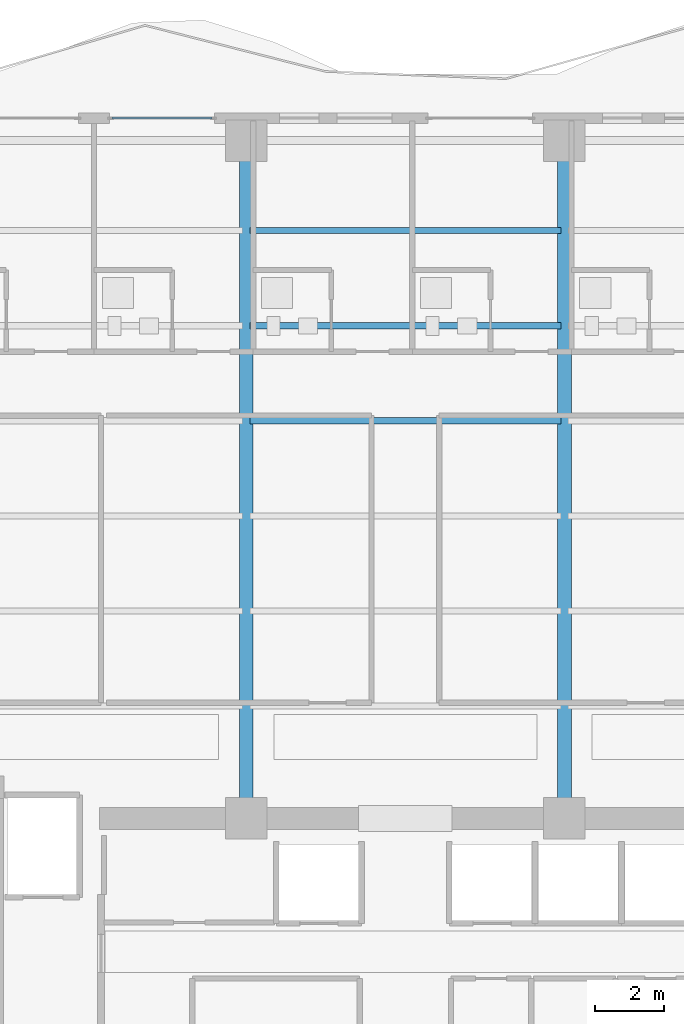
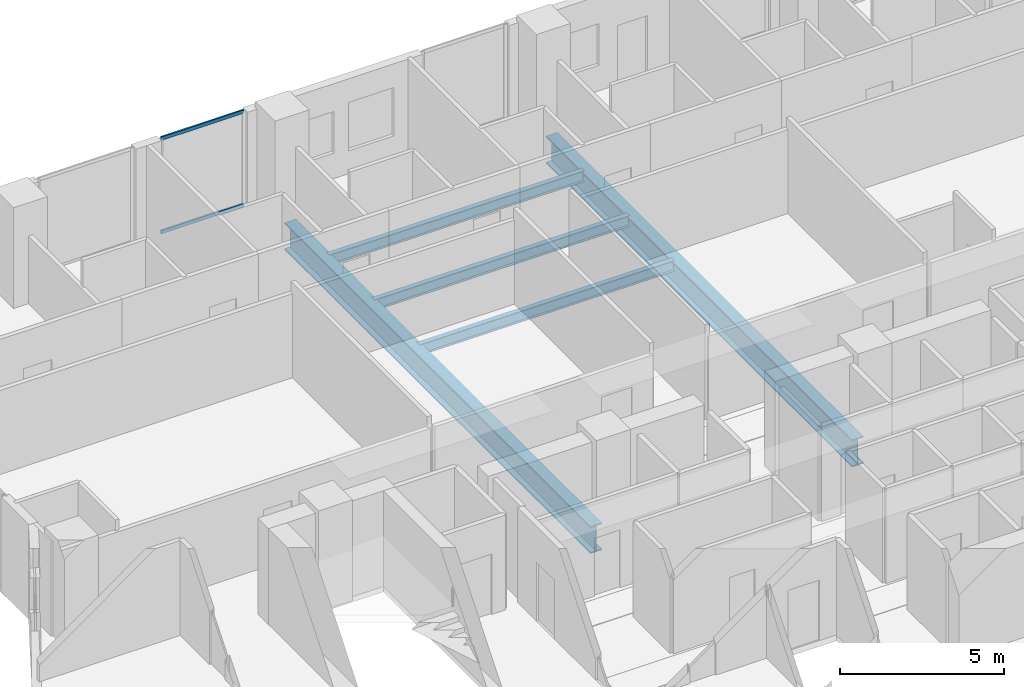
# One storey, part 18 of 33: 5 beams, 2 members, 1 element without a shape of its own.
"""IFC4 building model written with IfcOpenShell, lengths in metres."""

from ifc_helpers import new_model, si_unit, direction, frame, origin, origin_2d, place, context, subcontext, project, spatial, hollow_rectangle, i_section, extrude, material, layer, layer_set, material_profile, profile_set, type_object, element, aggregate, save


model = new_model("IFC4")

# Units and contexts
model_context = context("Model", 3, precision=1e-05, world=origin(), true_north=direction((0.0, 1.0)))
body_context = subcontext(model_context, "Body", "Model", "MODEL_VIEW")
ifc_project = project(units=[si_unit("LENGTHUNIT", "METRE"), si_unit("AREAUNIT", "SQUARE_METRE"), si_unit("VOLUMEUNIT", "CUBIC_METRE"), si_unit("PLANEANGLEUNIT", "RADIAN"), si_unit("MASSUNIT", "GRAM", prefix="KILO")], contexts=[model_context])

# Site, building, storey
site_placement = place(None, origin())
site = spatial("IfcSite", under=ifc_project, at=site_placement, CompositionType="ELEMENT")
building_placement = place(site_placement, origin())
building = spatial("IfcBuilding", under=site, at=building_placement, Name="Zuhayl Quay Hotel", CompositionType="ELEMENT")
storey_placement = place(building_placement, frame((0.0, 0.0, 222.39990234375)))
storey = spatial("IfcBuildingStorey", under=building, at=storey_placement, Name="L56", CompositionType="ELEMENT", Elevation=222.39990234375)

# Beams
ifc_material_1 = material(Name="Steel ASTM A992 Grade 50", Category="steel")
ifc_material_profile_1 = material_profile(ifc_material_1, i_section(OverallWidth=0.177978515625, OverallDepth=0.406005859375, WebThickness=0.0078125, FlangeThickness=0.0126953125, at=origin_2d()), Name="W16X40")
ifc_profile_set_1 = profile_set([ifc_material_profile_1], Name="Steel ASTM A992 Grade 50")
beam_type_1 = type_object("IfcBeamType", Name="BM_J2B_W16X40", PredefinedType="JOIST", material=ifc_profile_set_1)
for number, where, z_axis, x_axis, name in (
    (1, (-4.493896484375, 24.85009765625, -0.4228515625), (1.0, 0.0, 0.0), (0.0, 1.0, 0.0), "L56 Floor Beam FJ_L56_4_2"),
    (2, (-4.493896484375, 27.60009765625, -0.4228515625), (1.0, 0.0, 0.0), (0.0, 1.0, 0.0), "L56 Floor Beam FJ_L56_5_2"),
    (3, (-4.493896484375, 30.35009765625, -0.4228515625), (1.0, 0.0, 0.0), (0.0, 1.0, 0.0), "L56 Floor Beam FJ_L56_6_2"),
):
    element("IfcBeam", number, at=place(storey_placement, frame(where, z_axis=z_axis, x_axis=x_axis)), inside=storey, type_object=beam_type_1, Name=name, PredefinedType="JOIST", context=body_context, shape_type="SweptSolid", body=[
        extrude(i_section(OverallWidth=0.177978515625, OverallDepth=0.406005859375, WebThickness=0.0078125, FlangeThickness=0.0126953125, at=origin_2d()), origin(), (0.0, 0.0, 1.0), 8.98779296875),
    ])
ifc_material_profile_2 = material_profile(ifc_material_1, i_section(OverallWidth=0.40087890625, OverallDepth=1.010986328125, WebThickness=0.023681640625, FlangeThickness=0.0419921875, at=origin_2d()), Name="W40X297")
ifc_profile_set_2 = profile_set([ifc_material_profile_2], Name="Steel ASTM A992 Grade 50")
beam_type_2 = type_object("IfcBeamType", Name="BM_TG2_W40X297", PredefinedType="BEAM", material=ifc_profile_set_2)
for number, where, z_axis, x_axis, name in (
    (4, (-4.60009765625, 13.800048828125, -0.725341796875), (0.0, 1.0, 0.0), (-1.0, 0.0, 0.0), "L56 Floor Beam FG_N_L56_2"),
    (5, (4.60009765625, 13.800048828125, -0.725341796875), (0.0, 1.0, 0.0), (-1.0, 0.0, 0.0), "L56 Floor Beam FG_N_L56_3"),
):
    element("IfcBeam", number, at=place(storey_placement, frame(where, z_axis=z_axis, x_axis=x_axis)), inside=storey, type_object=beam_type_2, Name=name, PredefinedType="BEAM", context=body_context, shape_type="SweptSolid", body=[
        extrude(i_section(OverallWidth=0.40087890625, OverallDepth=1.010986328125, WebThickness=0.023681640625, FlangeThickness=0.0419921875, at=origin_2d()), origin(), (0.0, 0.0, 1.0), 18.64990234375),
    ])

# Curtain wall, members
ifc_material_2 = material(Name="Anodised Aluminium 6063-T6", Category="aluminium")
ifc_layer = layer(ifc_material_2, 0.175048828125, Name="Anodised Aluminium 6063-T6", Category="aluminium")
ifc_layer_set = layer_set([ifc_layer], Name="Anodised Aluminium 6063-T6")
curtain_wall_type = type_object("IfcCurtainWallType", Name="CW_SYS_Z3", PredefinedType="USERDEFINED", material=ifc_layer_set)
curtain_wall_placement = place(storey_placement, origin())
curtain_wall = element("IfcCurtainWall", 6, at=curtain_wall_placement, inside=storey, type_object=curtain_wall_type, Name="L56 Curtain Wall ENV_L56_N_CW3", ObjectType="UNITISED CURTAIN WALL", PredefinedType="USERDEFINED")
ifc_material_3 = material(Name="Black-anodised aluminium 6063-T6", Category="aluminium")
ifc_material_profile_3 = material_profile(ifc_material_3, hollow_rectangle(XDim=0.054931640625, YDim=0.1298828125, WallThickness=0.0029296875, at=origin_2d()), Name="ALU130X55")
ifc_profile_set_3 = profile_set([ifc_material_profile_3], Name="Black-anodised aluminium 6063-T6")
member_type = type_object("IfcMemberType", Name="MB_CW_TRN_130", PredefinedType="USERDEFINED", material=ifc_profile_set_3)
member_1_placement = place(storey_placement, frame((-8.485107421875, 33.60009765625, 0.027587890625), z_axis=(1.0, 0.0, 0.0), x_axis=(0.0, 1.0, 0.0)))
member_1 = element("IfcMember", 7, at=member_1_placement, type_object=member_type, Name="CW-Z3 transom 1.1", ObjectType="TRANSOM", PredefinedType="USERDEFINED", context=body_context, shape_type="SweptSolid", body=[
    extrude(hollow_rectangle(XDim=0.054931640625, YDim=0.1298828125, WallThickness=0.0029296875, at=origin_2d()), origin(), (0.0, 0.0, 1.0), 2.900146484375),
])
member_2_placement = place(storey_placement, frame((-8.485107421875, 33.60009765625, 3.502685546875), z_axis=(1.0, 0.0, 0.0), x_axis=(0.0, 1.0, 0.0)))
member_2 = element("IfcMember", 8, at=member_2_placement, type_object=member_type, Name="CW-Z3 transom 1.2", ObjectType="TRANSOM", PredefinedType="USERDEFINED", context=body_context, shape_type="SweptSolid", body=[
    extrude(hollow_rectangle(XDim=0.054931640625, YDim=0.1298828125, WallThickness=0.0029296875, at=origin_2d()), origin(), (0.0, 0.0, 1.0), 2.900146484375),
])
aggregate(curtain_wall, [member_1, member_2])

save(model, "model.ifc")
